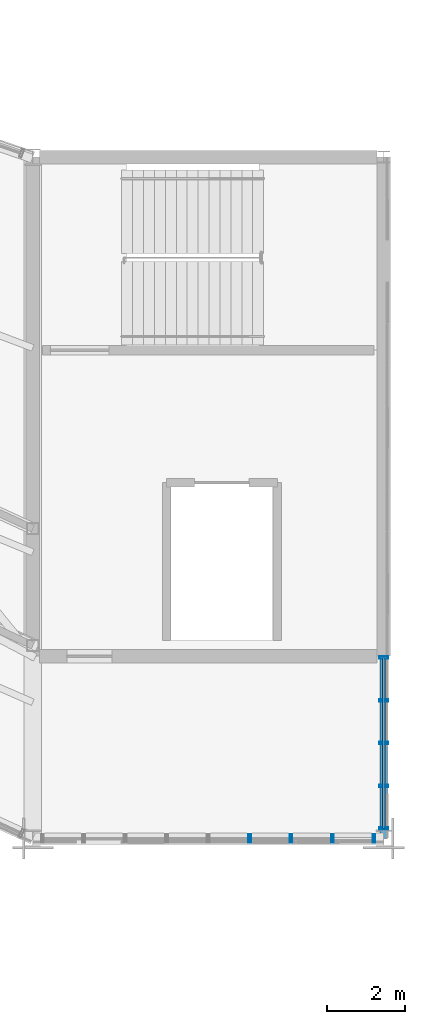
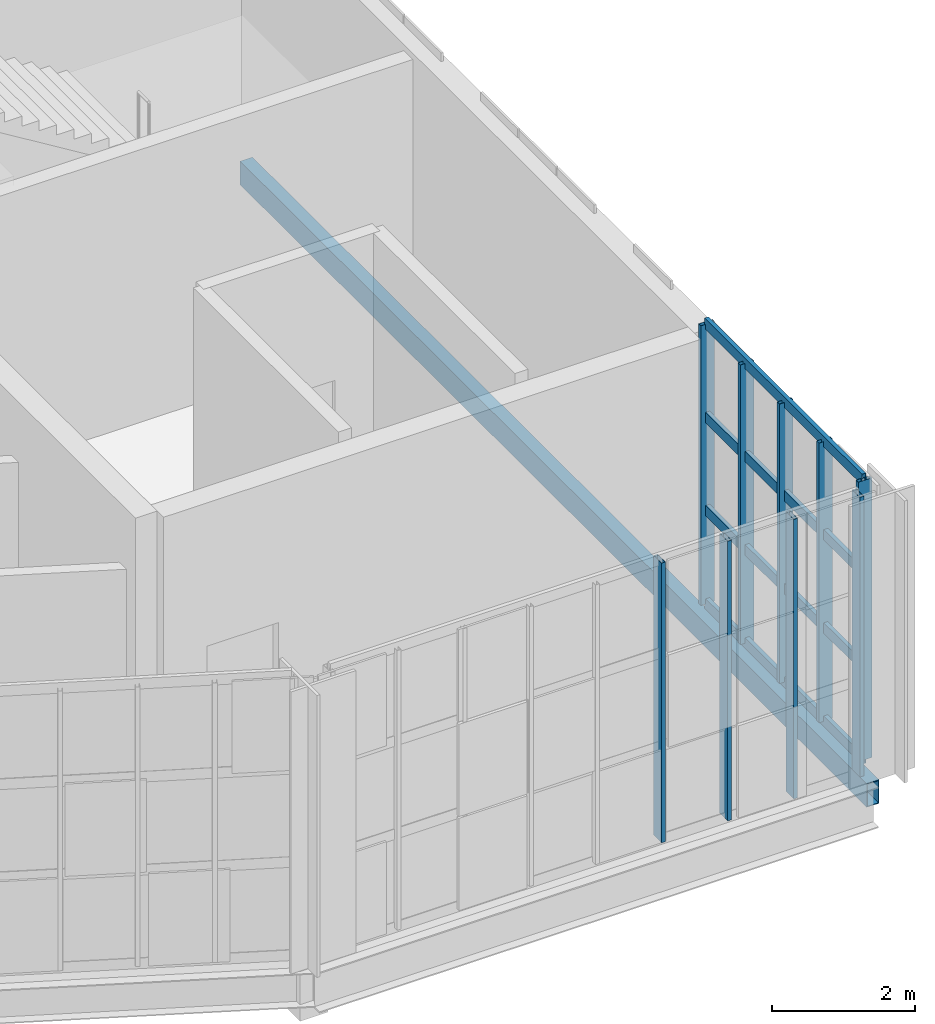
# One storey, part 32 of 46: 13 members, 1 beam, 2 elements without a shape of their own.
"""IFC4 building model written with IfcOpenShell, lengths in metres."""

from ifc_helpers import new_model, si_unit, direction, frame, origin, origin_2d, place, context, subcontext, project, spatial, hollow_rectangle, extrude, material, material_profile, profile_set, type_object, element, aggregate, save


model = new_model("IFC4")

# Units and contexts
model_context = context("Model", 3, precision=1e-05, world=origin(), true_north=direction((0.0, 1.0)))
body_context = subcontext(model_context, "Body", "Model", "MODEL_VIEW")
ifc_project = project(units=[si_unit("LENGTHUNIT", "METRE"), si_unit("AREAUNIT", "SQUARE_METRE"), si_unit("VOLUMEUNIT", "CUBIC_METRE"), si_unit("PLANEANGLEUNIT", "RADIAN"), si_unit("MASSUNIT", "GRAM", prefix="KILO")], contexts=[model_context])

# Site, building, storey
site_placement = place(None, origin())
site = spatial("IfcSite", under=ifc_project, at=site_placement, CompositionType="ELEMENT")
building_placement = place(site_placement, origin())
building = spatial("IfcBuilding", under=site, at=building_placement, Name="Solvikara Media Centre", CompositionType="ELEMENT")
storey_placement = place(building_placement, frame((0.0, 0.0, 24.60009765625)))
storey = spatial("IfcBuildingStorey", under=building, at=storey_placement, Name="L05", CompositionType="ELEMENT", Elevation=24.60009765625)

# Beam
ifc_material_1 = material(Name="Steel S355JR", Category="steel")
ifc_material_profile_1 = material_profile(ifc_material_1, hollow_rectangle(XDim=0.199951171875, YDim=0.39990234375, WallThickness=0.011962890625, at=origin_2d()), Name="RHS 400x200x12")
ifc_profile_set_1 = profile_set([ifc_material_profile_1], Name="Steel S355JR")
beam_type = type_object("IfcBeamType", Name="BM-33", PredefinedType="SPANDREL", material=ifc_profile_set_1)
beam_placement = place(storey_placement, frame((136.5, 19.323974609375, -0.422119140625), z_axis=(0.0, 1.0, 0.0), x_axis=(-1.0, 0.0, 0.0)))
element("IfcBeam", 1, at=beam_placement, inside=storey, type_object=beam_type, Name="B-L05-Y1671", PredefinedType="SPANDREL", context=body_context, shape_type="SweptSolid", body=[
    extrude(hollow_rectangle(XDim=0.199951171875, YDim=0.39990234375, WallThickness=0.011962890625, at=origin_2d()), origin(), (0.0, 0.0, 1.0), 17.47607421875),
])

# Curtain wall, members
ifc_material_2 = material(Name="Anodised aluminium EN AW-6063", Category="aluminium")
curtain_wall_type = type_object("IfcCurtainWallType", Name="CW-10", PredefinedType="NOTDEFINED", material=ifc_material_2)
curtain_wall_1_placement = place(storey_placement, origin())
curtain_wall_1 = element("IfcCurtainWall", 2, at=curtain_wall_1_placement, inside=storey, type_object=curtain_wall_type, Name="CW-L05-BHES", PredefinedType="NOTDEFINED")
ifc_material_profile_2 = material_profile(ifc_material_2, hollow_rectangle(XDim=0.06494140625, YDim=0.219970703125, WallThickness=0.00390625, at=origin_2d()), Name="ALU-M 65x220x4")
ifc_profile_set_2 = profile_set([ifc_material_profile_2], Name="Anodised aluminium EN AW-6063")
member_type_1 = type_object("IfcMemberType", Name="MF-01", PredefinedType="MULLION", material=ifc_profile_set_2)
member_1_placement = place(storey_placement, frame((133.06396484375, 19.323974609375, 0.02001953125), z_axis=(0.0, 0.0, 1.0), x_axis=(1.0, 0.0, 0.0)))
member_1 = element("IfcMember", 3, at=member_1_placement, type_object=member_type_1, Name="CW-L05-BHES-M05", PredefinedType="MULLION", context=body_context, shape_type="SweptSolid", body=[
    extrude(hollow_rectangle(XDim=0.06494140625, YDim=0.219970703125, WallThickness=0.00390625, at=origin_2d()), origin(), (0.0, 0.0, 1.0), 4.759765625),
])
member_2_placement = place(storey_placement, frame((134.1279296875, 19.323974609375, 0.02001953125), z_axis=(0.0, 0.0, 1.0), x_axis=(1.0, 0.0, 0.0)))
member_2 = element("IfcMember", 4, at=member_2_placement, type_object=member_type_1, Name="CW-L05-BHES-M06", PredefinedType="MULLION", context=body_context, shape_type="SweptSolid", body=[
    extrude(hollow_rectangle(XDim=0.06494140625, YDim=0.219970703125, WallThickness=0.00390625, at=origin_2d()), origin(), (0.0, 0.0, 1.0), 4.759765625),
])
member_3_placement = place(storey_placement, frame((135.19189453125, 19.323974609375, 0.02001953125), z_axis=(0.0, 0.0, 1.0), x_axis=(1.0, 0.0, 0.0)))
member_3 = element("IfcMember", 5, at=member_3_placement, type_object=member_type_1, Name="CW-L05-BHES-M07", PredefinedType="MULLION", context=body_context, shape_type="SweptSolid", body=[
    extrude(hollow_rectangle(XDim=0.06494140625, YDim=0.219970703125, WallThickness=0.00390625, at=origin_2d()), origin(), (0.0, 0.0, 1.0), 4.759765625),
])
member_4_placement = place(storey_placement, frame((136.256103515625, 19.323974609375, 0.02001953125), z_axis=(0.0, 0.0, 1.0), x_axis=(1.0, 0.0, 0.0)))
member_4 = element("IfcMember", 6, at=member_4_placement, type_object=member_type_1, Name="CW-L05-BHES-M08", PredefinedType="MULLION", context=body_context, shape_type="SweptSolid", body=[
    extrude(hollow_rectangle(XDim=0.06494140625, YDim=0.219970703125, WallThickness=0.00390625, at=origin_2d()), origin(), (0.0, 0.0, 1.0), 4.759765625),
])
aggregate(curtain_wall_1, [member_1, member_2, member_3, member_4])

curtain_wall_2_placement = place(storey_placement, origin())
curtain_wall_2 = element("IfcCurtainWall", 7, at=curtain_wall_2_placement, inside=storey, type_object=curtain_wall_type, Name="CW-L05-BHEE", PredefinedType="NOTDEFINED")
member_5_placement = place(storey_placement, frame((136.5, 19.577880859375, 0.02001953125), z_axis=(0.0, 0.0, 1.0), x_axis=(0.0, 1.0, 0.0)))
member_5 = element("IfcMember", 8, at=member_5_placement, type_object=member_type_1, Name="CW-L05-BHEE-M00", PredefinedType="MULLION", context=body_context, shape_type="SweptSolid", body=[
    extrude(hollow_rectangle(XDim=0.06494140625, YDim=0.219970703125, WallThickness=0.00390625, at=origin_2d()), origin(), (0.0, 0.0, 1.0), 4.759765625),
])
member_6_placement = place(storey_placement, frame((136.5, 20.675048828125, 0.02001953125), z_axis=(0.0, 0.0, 1.0), x_axis=(0.0, 1.0, 0.0)))
member_6 = element("IfcMember", 9, at=member_6_placement, type_object=member_type_1, Name="CW-L05-BHEE-M01", PredefinedType="MULLION", context=body_context, shape_type="SweptSolid", body=[
    extrude(hollow_rectangle(XDim=0.06494140625, YDim=0.219970703125, WallThickness=0.00390625, at=origin_2d()), origin(), (0.0, 0.0, 1.0), 4.759765625),
])
member_7_placement = place(storey_placement, frame((136.5, 21.77197265625, 0.02001953125), z_axis=(0.0, 0.0, 1.0), x_axis=(0.0, 1.0, 0.0)))
member_7 = element("IfcMember", 10, at=member_7_placement, type_object=member_type_1, Name="CW-L05-BHEE-M02", PredefinedType="MULLION", context=body_context, shape_type="SweptSolid", body=[
    extrude(hollow_rectangle(XDim=0.06494140625, YDim=0.219970703125, WallThickness=0.00390625, at=origin_2d()), origin(), (0.0, 0.0, 1.0), 4.759765625),
])
member_8_placement = place(storey_placement, frame((136.5, 22.867919921875, 0.02001953125), z_axis=(0.0, 0.0, 1.0), x_axis=(0.0, 1.0, 0.0)))
member_8 = element("IfcMember", 11, at=member_8_placement, type_object=member_type_1, Name="CW-L05-BHEE-M03", PredefinedType="MULLION", context=body_context, shape_type="SweptSolid", body=[
    extrude(hollow_rectangle(XDim=0.06494140625, YDim=0.219970703125, WallThickness=0.00390625, at=origin_2d()), origin(), (0.0, 0.0, 1.0), 4.759765625),
])
member_9_placement = place(storey_placement, frame((136.5, 23.965087890625, 0.02001953125), z_axis=(0.0, 0.0, 1.0), x_axis=(0.0, 1.0, 0.0)))
member_9 = element("IfcMember", 12, at=member_9_placement, type_object=member_type_1, Name="CW-L05-BHEE-M04", PredefinedType="MULLION", context=body_context, shape_type="SweptSolid", body=[
    extrude(hollow_rectangle(XDim=0.06494140625, YDim=0.219970703125, WallThickness=0.00390625, at=origin_2d()), origin(), (0.0, 0.0, 1.0), 4.759765625),
])
ifc_material_profile_3 = material_profile(ifc_material_2, hollow_rectangle(XDim=0.06494140625, YDim=0.179931640625, WallThickness=0.00341796875, at=origin_2d()), Name="ALU-T 65x180x3.5")
ifc_profile_set_3 = profile_set([ifc_material_profile_3], Name="Anodised aluminium EN AW-6063")
member_type_2 = type_object("IfcMemberType", Name="MF-07", PredefinedType="USERDEFINED", material=ifc_profile_set_3)
member_10_placement = place(storey_placement, frame((136.5, 19.577880859375, 0.02001953125), z_axis=(0.0, 1.0, 0.0), x_axis=(-1.0, 0.0, 0.0)))
member_10 = element("IfcMember", 13, at=member_10_placement, type_object=member_type_2, Name="CW-L05-BHEE-T00", ObjectType="TRANSOM", PredefinedType="USERDEFINED", context=body_context, shape_type="SweptSolid", body=[
    extrude(hollow_rectangle(XDim=0.06494140625, YDim=0.179931640625, WallThickness=0.00341796875, at=origin_2d()), origin(), (0.0, 0.0, 1.0), 4.38720703125),
])
member_11_placement = place(storey_placement, frame((136.5, 19.577880859375, 1.60693359375), z_axis=(0.0, 1.0, 0.0), x_axis=(-1.0, 0.0, 0.0)))
member_11 = element("IfcMember", 14, at=member_11_placement, type_object=member_type_2, Name="CW-L05-BHEE-T01", ObjectType="TRANSOM", PredefinedType="USERDEFINED", context=body_context, shape_type="SweptSolid", body=[
    extrude(hollow_rectangle(XDim=0.06494140625, YDim=0.179931640625, WallThickness=0.00341796875, at=origin_2d()), origin(), (0.0, 0.0, 1.0), 4.38720703125),
])
member_12_placement = place(storey_placement, frame((136.5, 19.577880859375, 3.19287109375), z_axis=(0.0, 1.0, 0.0), x_axis=(-1.0, 0.0, 0.0)))
member_12 = element("IfcMember", 15, at=member_12_placement, type_object=member_type_2, Name="CW-L05-BHEE-T02", ObjectType="TRANSOM", PredefinedType="USERDEFINED", context=body_context, shape_type="SweptSolid", body=[
    extrude(hollow_rectangle(XDim=0.06494140625, YDim=0.179931640625, WallThickness=0.00341796875, at=origin_2d()), origin(), (0.0, 0.0, 1.0), 4.38720703125),
])
member_13_placement = place(storey_placement, frame((136.5, 19.577880859375, 4.77978515625), z_axis=(0.0, 1.0, 0.0), x_axis=(-1.0, 0.0, 0.0)))
member_13 = element("IfcMember", 16, at=member_13_placement, type_object=member_type_2, Name="CW-L05-BHEE-T03", ObjectType="TRANSOM", PredefinedType="USERDEFINED", context=body_context, shape_type="SweptSolid", body=[
    extrude(hollow_rectangle(XDim=0.06494140625, YDim=0.179931640625, WallThickness=0.00341796875, at=origin_2d()), origin(), (0.0, 0.0, 1.0), 4.38720703125),
])
aggregate(curtain_wall_2, [member_5, member_6, member_7, member_8, member_9, member_10, member_11, member_12, member_13])

save(model, "model.ifc")
